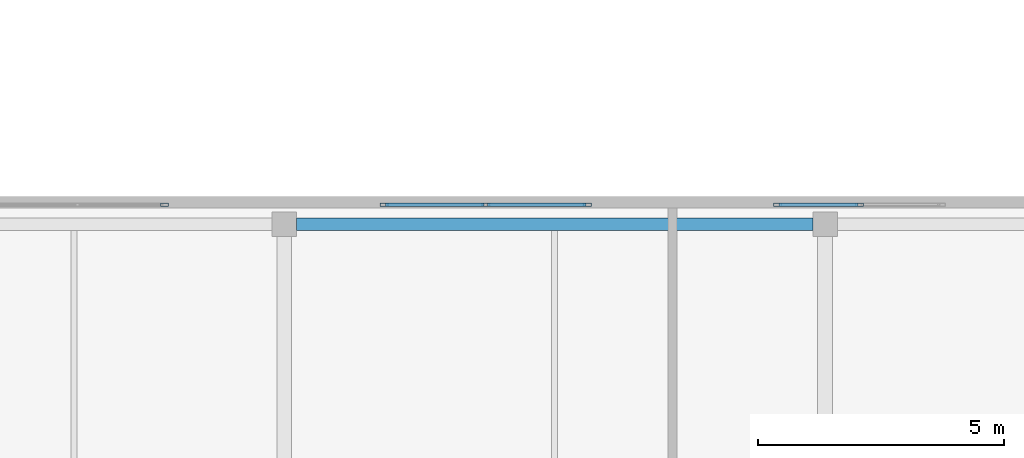
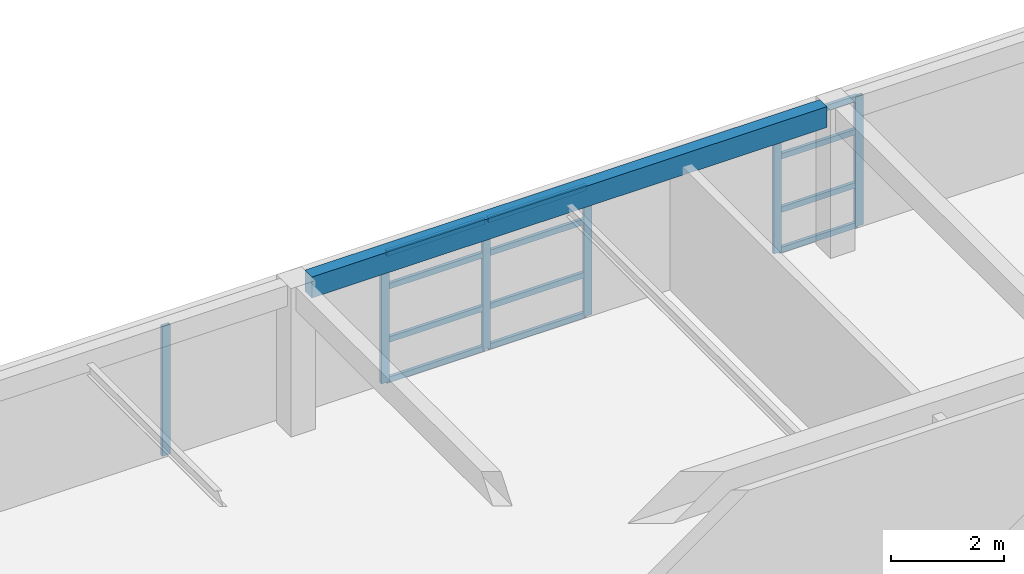
# One storey, part 25 of 89: 18 members, 1 beam, 3 elements without a shape of their own.
"""IFC4 building model written with IfcOpenShell, lengths in metres."""

import ifcopenshell
import ifcopenshell.guid

model = None  # the IFC model being written
_history = None  # IfcOwnerHistory: only IFC2X3 demands one
_inside = {}  # id of a spatial element -> (the spatial element, [elements in it])
_under = {}  # id of a project, library or spatial element -> (it, [spatial elements below it])
_declared = {}  # id of a project -> (the project, [libraries it declares])
_typed = {}  # id of a type object -> (the type object, [elements of that type])
_made_of = {}  # id of a material, layer set ... -> (it, [elements and type objects made of it])


def new_model(schema):
    """Start an empty IFC model of exactly this schema.

    Asked for "IFC4X3", IfcOpenShell would pick the latest addendum, in which some entities
    have other attributes; the version numbers below select the first issue.
    IFC2X3 requires an IfcOwnerHistory on every rooted entity: one is made here for all.
    """
    global model, _history
    if schema == "IFC4X3":
        model = ifcopenshell.file(schema_version=(4, 3, 0, 0))
    else:
        model = ifcopenshell.file(schema=schema)
    _inside.clear()
    _under.clear()
    _declared.clear()
    _typed.clear()
    _made_of.clear()
    _history = None
    if model.schema == "IFC2X3":
        org = make("IfcOrganization", Name="unknown")
        user = make(
            "IfcPersonAndOrganization",
            ThePerson=make("IfcPerson", FamilyName="unknown"),
            TheOrganization=org,
        )
        app = make(
            "IfcApplication",
            ApplicationDeveloper=org,
            Version="unknown",
            ApplicationFullName="unknown",
            ApplicationIdentifier="unknown",
        )
        _history = make(
            "IfcOwnerHistory",
            OwningUser=user,
            OwningApplication=app,
            ChangeAction="ADDED",
            CreationDate=0,
        )
    return model


def make(cls, **values):
    """One entity of the class cls with the attributes given. An attribute that is None is left unset."""
    return model.create_entity(
        cls, **{name: value for name, value in values.items() if value is not None}
    )


def rooted(cls, **values):
    """An entity with a GlobalId (a new one), such as an element, a storey or a relation."""
    return make(cls, GlobalId=ifcopenshell.guid.new(), OwnerHistory=_history, **values)


def si_unit(unit_type, name, prefix=None):
    """IfcSIUnit, for example si_unit("LENGTHUNIT", "METRE", prefix="MILLI")."""
    return make("IfcSIUnit", UnitType=unit_type, Prefix=prefix, Name=name)


def assignment(units):
    """IfcUnitAssignment: the units of a project."""
    return None if units is None else make("IfcUnitAssignment", Units=units)


def point(xyz):
    """IfcCartesianPoint."""
    return None if xyz is None else make("IfcCartesianPoint", Coordinates=xyz)


def direction(xyz):
    """IfcDirection."""
    return None if xyz is None else make("IfcDirection", DirectionRatios=xyz)


def frame(location, z_axis=None, x_axis=None):
    """IfcAxis2Placement3D, a coordinate frame: its origin and axes. An axis left out is left unset."""
    return make(
        "IfcAxis2Placement3D",
        Location=point(location),
        Axis=direction(z_axis),
        RefDirection=direction(x_axis),
    )


def frame_2d(location, x_axis=None):
    """IfcAxis2Placement2D, a coordinate frame in the plane: its origin and x axis."""
    return make(
        "IfcAxis2Placement2D", Location=point(location), RefDirection=direction(x_axis)
    )


def origin():
    """The frame at (0, 0, 0) with its axes left unset."""
    return frame((0.0, 0.0, 0.0))


def origin_2d():
    """The frame at (0, 0) in the plane with its x axis left unset."""
    return frame_2d((0.0, 0.0))


def place(relative_to, where):
    """IfcLocalPlacement: puts the frame where relative to a parent placement (None: the world)."""
    return make(
        "IfcLocalPlacement", PlacementRelTo=relative_to, RelativePlacement=where
    )


def context(
    kind, dimensions, precision=None, world=None, true_north=None, identifier=None
):
    """IfcGeometricRepresentationContext, for example the 3D "Model" context."""
    return make(
        "IfcGeometricRepresentationContext",
        ContextIdentifier=identifier,
        ContextType=kind,
        CoordinateSpaceDimension=dimensions,
        Precision=precision,
        WorldCoordinateSystem=world,
        TrueNorth=true_north,
    )


def subcontext(parent, identifier, kind, view, scale=None):
    """IfcGeometricRepresentationSubContext, for example "Body" below "Model"."""
    return make(
        "IfcGeometricRepresentationSubContext",
        ContextIdentifier=identifier,
        ContextType=kind,
        ParentContext=parent,
        TargetScale=scale,
        TargetView=view,
    )


def project(units=None, contexts=None):
    """IfcProject with its units and contexts."""
    return rooted(
        "IfcProject",
        Name="project",
        RepresentationContexts=contexts,
        UnitsInContext=assignment(units),
    )


def spatial(cls, under=None, at=None, **own):
    """A site, building, storey or space (cls), placed at a placement, below another one or the project."""
    s = rooted(cls, ObjectPlacement=at, **own)
    if under is not None:
        _under.setdefault(under.id(), (under, []))[1].append(s)
    return s


def profile(cls, at=None, kind="AREA", **sizes):
    """A parametric profile (cls). Its sizes go by their IFC names, for example OverallWidth=200.0."""
    return make(cls, ProfileType=kind, Position=at, **sizes)


def rectangle(**sizes):
    """IfcRectangleProfileDef."""
    return profile("IfcRectangleProfileDef", **sizes)


def hollow_rectangle(**sizes):
    """IfcRectangleHollowProfileDef."""
    return profile("IfcRectangleHollowProfileDef", **sizes)


def extrude(swept, where, along, depth):
    """IfcExtrudedAreaSolid: the profile swept, set in the frame where, extruded along a direction by depth."""
    return make(
        "IfcExtrudedAreaSolid",
        SweptArea=swept,
        Position=where,
        ExtrudedDirection=direction(along),
        Depth=depth,
    )


def shape(context_of_items, identifier, shape_type, items):
    """IfcShapeRepresentation: the items that make up one representation, for example the "Body"."""
    return make(
        "IfcShapeRepresentation",
        ContextOfItems=context_of_items,
        RepresentationIdentifier=identifier,
        RepresentationType=shape_type,
        Items=items,
    )


def material(Name=None, Category=None):
    """IfcMaterial."""
    return make("IfcMaterial", Name=Name, Category=Category)


def layer(
    of_material, thickness, ventilated=None, Name=None, Category=None, Priority=None
):
    """IfcMaterialLayer: one layer of a wall or slab, of a material (None: an air gap)."""
    return make(
        "IfcMaterialLayer",
        Material=of_material,
        LayerThickness=thickness,
        IsVentilated=ventilated,
        Name=Name,
        Category=Category,
        Priority=Priority,
    )


def layer_set(layers, Name=None):
    """IfcMaterialLayerSet."""
    return make("IfcMaterialLayerSet", MaterialLayers=layers, LayerSetName=Name)


def material_profile(
    of_material, cross_section, Name=None, Category=None, Priority=None
):
    """IfcMaterialProfile: a cross section and its material."""
    return make(
        "IfcMaterialProfile",
        Name=Name,
        Material=of_material,
        Profile=cross_section,
        Priority=Priority,
        Category=Category,
    )


def profile_set(profiles, Name=None, composite=None):
    """IfcMaterialProfileSet."""
    return make(
        "IfcMaterialProfileSet",
        Name=Name,
        MaterialProfiles=profiles,
        CompositeProfile=composite,
    )


def made_of(thing, what):
    """Note that an element or type object is made of a material, layer set ...; save() writes the relation."""
    if what is not None:
        _made_of.setdefault(what.id(), (what, []))[1].append(thing)
    return thing


def type_object(cls, material=None, **own):
    """A type object (cls), such as IfcWallType, which elements share."""
    return made_of(rooted(cls, **own), material)


def element(
    cls,
    number,
    at=None,
    inside=None,
    cuts=None,
    type_object=None,
    material=None,
    context=None,
    identifier="Body",
    shape_type=None,
    held_by="IfcProductDefinitionShape",
    body=None,
    shapes=None,
    **own,
):
    """One element of the class cls, such as IfcWall. Its Tag is "e" and its number.

    at: its placement. inside: the storey or other place that contains it. cuts: it is an
    opening in that element (IfcRelVoidsElement). A single representation is given by context,
    identifier, shape_type and body (its items); several are given by shapes. held_by: the class
    of the entity that holds the representations. save() writes the other relations.
    """
    e = rooted(cls, Tag="e%d" % number, ObjectPlacement=at, **own)
    if body is not None:
        shapes = [shape(context, identifier, shape_type, body)]
    if shapes is not None:
        e.Representation = make(held_by, Representations=shapes)
    if inside is not None:
        _inside.setdefault(inside.id(), (inside, []))[1].append(e)
    if cuts is not None:
        rooted(
            "IfcRelVoidsElement", RelatingBuildingElement=cuts, RelatedOpeningElement=e
        )
    if type_object is not None:
        _typed.setdefault(type_object.id(), (type_object, []))[1].append(e)
    return made_of(e, material)


def aggregate(whole, parts):
    """IfcRelAggregates: a whole, such as a stair, and the parts it consists of."""
    return rooted("IfcRelAggregates", RelatingObject=whole, RelatedObjects=parts)


def save(model, path):
    """Write the relations noted so far, then the file.

    IfcRelAggregates (storeys below a building ...), IfcRelContainedInSpatialStructure (elements
    in a storey), IfcRelDefinesByType, IfcRelAssociatesMaterial and IfcRelDeclares: one each for
    every whole, place, type object, material and project.
    """
    for whole, parts in _under.values():
        aggregate(whole, parts)
    for where, things in _inside.values():
        rooted(
            "IfcRelContainedInSpatialStructure",
            RelatedElements=things,
            RelatingStructure=where,
        )
    for kind, things in _typed.values():
        rooted("IfcRelDefinesByType", RelatedObjects=things, RelatingType=kind)
    for what, things in _made_of.values():
        rooted("IfcRelAssociatesMaterial", RelatedObjects=things, RelatingMaterial=what)
    for by, libraries in _declared.values():
        rooted("IfcRelDeclares", RelatingContext=by, RelatedDefinitions=libraries)
    model.write(path)


model = new_model("IFC4")

# Units and contexts
model_context = context("Model", 3, precision=1e-05, world=origin(), true_north=direction((0.0, 1.0)))
body_context = subcontext(model_context, "Body", "Model", "MODEL_VIEW")
ifc_project = project(units=[si_unit("LENGTHUNIT", "METRE"), si_unit("AREAUNIT", "SQUARE_METRE"), si_unit("VOLUMEUNIT", "CUBIC_METRE"), si_unit("PLANEANGLEUNIT", "RADIAN"), si_unit("MASSUNIT", "GRAM", prefix="KILO")], contexts=[model_context])

# Site, building, storey
site_placement = place(None, origin())
site = spatial("IfcSite", under=ifc_project, at=site_placement, CompositionType="ELEMENT")
building_placement = place(site_placement, origin())
building = spatial("IfcBuilding", under=site, at=building_placement, Name="Keldmere Railside Commons", CompositionType="ELEMENT")
storey_placement = place(building_placement, frame((0.0, 0.0, 7.360107421875)))
storey = spatial("IfcBuildingStorey", under=building, at=storey_placement, Name="L02", CompositionType="ELEMENT", Elevation=7.360107421875)

# Beam
ifc_material_1 = material(Name="Architectural Precast Concrete H-35 (C35/45)", Category="concrete")
ifc_material_profile_1 = material_profile(ifc_material_1, rectangle(XDim=0.25, YDim=0.449951171875, at=origin_2d()), Name="RC-250x450")
ifc_profile_set_1 = profile_set([ifc_material_profile_1], Name="Architectural Precast Concrete H-35 (C35/45)")
beam_type = type_object("IfcBeamType", Name="Perimeter Precast Spandrel Beam 250x450", PredefinedType="SPANDREL", material=ifc_profile_set_1)
beam_placement = place(storey_placement, frame((137.25, 39.550048828125, 2.974853515625), z_axis=(1.0, 0.0, 0.0), x_axis=(0.0, 1.0, 0.0)))
element("IfcBeam", 1, at=beam_placement, inside=storey, type_object=beam_type, Name="SPB-1 BM-L02-1064", PredefinedType="SPANDREL", context=body_context, shape_type="SweptSolid", body=[
    extrude(rectangle(XDim=0.25, YDim=0.449951171875, at=origin_2d()), origin(), (0.0, 0.0, 1.0), 10.5),
])

# Curtain wall, member
ifc_material_2 = material(Name="Thermally Broken Aluminium", Category="aluminium")
ifc_layer_1 = layer(ifc_material_2, 0.159912109375, Name="Market Arcade Upper Gallery CW 3600x2800")
ifc_layer_set_1 = layer_set([ifc_layer_1], Name="Thermally Broken Aluminium")
curtain_wall_type_1 = type_object("IfcCurtainWallType", Name="Market Arcade Upper Gallery CW 3600x2800", PredefinedType="NOTDEFINED", material=ifc_layer_set_1)
curtain_wall_1_placement = place(storey_placement, origin())
curtain_wall_1 = element("IfcCurtainWall", 2, at=curtain_wall_1_placement, inside=storey, type_object=curtain_wall_type_1, Name="CW-03 CW-L02-224", PredefinedType="NOTDEFINED")
ifc_material_profile_2 = material_profile(ifc_material_2, hollow_rectangle(XDim=0.06494140625, YDim=0.159912109375, WallThickness=0.00390625, at=origin_2d()), Name="ALU-MULL-65x160")
ifc_profile_set_2 = profile_set([ifc_material_profile_2], Name="Thermally Broken Aluminium")
member_type_1 = type_object("IfcMemberType", Name="Unitised Curtain Wall Mullion 65x160", PredefinedType="MULLION", material=ifc_profile_set_2)
member_1_placement = place(storey_placement, frame((134.5673828125, 39.949951171875, 0.0), z_axis=(0.0, 0.0, 1.0), x_axis=(0.0, 1.0, 0.0)))
member_1 = element("IfcMember", 3, at=member_1_placement, type_object=member_type_1, Name="CW-03 mullion 3", PredefinedType="MULLION", context=body_context, shape_type="SweptSolid", body=[
    extrude(hollow_rectangle(XDim=0.06494140625, YDim=0.159912109375, WallThickness=0.00390625, at=origin_2d()), origin(), (0.0, 0.0, 1.0), 2.7998046875),
])
aggregate(curtain_wall_1, [member_1])

# Curtain wall, members
ifc_layer_2 = layer(ifc_material_2, 0.159912109375, Name="Market Arcade Upper Gallery CW 4200x2800")
ifc_layer_set_2 = layer_set([ifc_layer_2], Name="Thermally Broken Aluminium")
curtain_wall_type_2 = type_object("IfcCurtainWallType", Name="Market Arcade Upper Gallery CW 4200x2800", PredefinedType="NOTDEFINED", material=ifc_layer_set_2)
curtain_wall_2_placement = place(storey_placement, origin())
curtain_wall_2 = element("IfcCurtainWall", 4, at=curtain_wall_2_placement, inside=storey, type_object=curtain_wall_type_2, Name="CW-04 CW-L02-225", PredefinedType="NOTDEFINED")
member_2_placement = place(storey_placement, frame((139.032470703125, 39.949951171875, 0.0), z_axis=(0.0, 0.0, 1.0), x_axis=(0.0, 1.0, 0.0)))
member_2 = element("IfcMember", 5, at=member_2_placement, type_object=member_type_1, Name="CW-04 mullion 1", PredefinedType="MULLION", context=body_context, shape_type="SweptSolid", body=[
    extrude(hollow_rectangle(XDim=0.06494140625, YDim=0.159912109375, WallThickness=0.00390625, at=origin_2d()), origin(), (0.0, 0.0, 1.0), 2.7998046875),
])
member_3_placement = place(storey_placement, frame((141.10009765625, 39.949951171875, 0.0), z_axis=(0.0, 0.0, 1.0), x_axis=(0.0, 1.0, 0.0)))
member_3 = element("IfcMember", 6, at=member_3_placement, type_object=member_type_1, Name="CW-04 mullion 2", PredefinedType="MULLION", context=body_context, shape_type="SweptSolid", body=[
    extrude(hollow_rectangle(XDim=0.06494140625, YDim=0.159912109375, WallThickness=0.00390625, at=origin_2d()), origin(), (0.0, 0.0, 1.0), 2.7998046875),
])
member_4_placement = place(storey_placement, frame((143.16748046875, 39.949951171875, 0.0), z_axis=(0.0, 0.0, 1.0), x_axis=(0.0, 1.0, 0.0)))
member_4 = element("IfcMember", 7, at=member_4_placement, type_object=member_type_1, Name="CW-04 mullion 3", PredefinedType="MULLION", context=body_context, shape_type="SweptSolid", body=[
    extrude(hollow_rectangle(XDim=0.06494140625, YDim=0.159912109375, WallThickness=0.00390625, at=origin_2d()), origin(), (0.0, 0.0, 1.0), 2.7998046875),
])

ifc_layer_3 = layer(ifc_material_2, 0.159912109375, Name="Sky-Terrace Lounge CW 3400x2850")
ifc_layer_set_3 = layer_set([ifc_layer_3], Name="Thermally Broken Aluminium")
curtain_wall_type_3 = type_object("IfcCurtainWallType", Name="Sky-Terrace Lounge CW 3400x2850", PredefinedType="NOTDEFINED", material=ifc_layer_set_3)
curtain_wall_3_placement = place(storey_placement, origin())
curtain_wall_3 = element("IfcCurtainWall", 8, at=curtain_wall_3_placement, inside=storey, type_object=curtain_wall_type_3, Name="CW-14 CW-L02-226", PredefinedType="NOTDEFINED")
member_5_placement = place(storey_placement, frame((147.032470703125, 39.949951171875, 0.0), z_axis=(0.0, 0.0, 1.0), x_axis=(0.0, 1.0, 0.0)))
member_5 = element("IfcMember", 9, at=member_5_placement, type_object=member_type_1, Name="CW-14 mullion 1", PredefinedType="MULLION", context=body_context, shape_type="SweptSolid", body=[
    extrude(hollow_rectangle(XDim=0.06494140625, YDim=0.159912109375, WallThickness=0.00390625, at=origin_2d()), origin(), (0.0, 0.0, 1.0), 2.7998046875),
])
member_6_placement = place(storey_placement, frame((148.699951171875, 39.949951171875, 0.0), z_axis=(0.0, 0.0, 1.0), x_axis=(0.0, 1.0, 0.0)))
member_6 = element("IfcMember", 10, at=member_6_placement, type_object=member_type_1, Name="CW-14 mullion 2", PredefinedType="MULLION", context=body_context, shape_type="SweptSolid", body=[
    extrude(hollow_rectangle(XDim=0.06494140625, YDim=0.159912109375, WallThickness=0.00390625, at=origin_2d()), origin(), (0.0, 0.0, 1.0), 2.7998046875),
])

# Member
ifc_material_profile_3 = material_profile(ifc_material_2, hollow_rectangle(XDim=0.06494140625, YDim=0.1201171875, WallThickness=0.00390625, at=origin_2d()), Name="ALU-TRAN-65x120")
ifc_profile_set_3 = profile_set([ifc_material_profile_3], Name="Thermally Broken Aluminium")
member_type_2 = type_object("IfcMemberType", Name="Unitised Curtain Wall Transom 65x120", PredefinedType="USERDEFINED", material=ifc_profile_set_3)
member_7_placement = place(storey_placement, frame((139.06494140625, 39.949951171875, 0.032470703125), z_axis=(1.0, 0.0, 0.0), x_axis=(0.0, 1.0, 0.0)))
member_7 = element("IfcMember", 11, at=member_7_placement, type_object=member_type_2, Name="CW-04 transom 1.1", ObjectType="TRANSOM", PredefinedType="USERDEFINED", context=body_context, shape_type="SweptSolid", body=[
    extrude(hollow_rectangle(XDim=0.06494140625, YDim=0.1201171875, WallThickness=0.00390625, at=origin_2d()), origin(), (0.0, 0.0, 1.0), 2.00244140625),
])

member_8_placement = place(storey_placement, frame((139.06494140625, 39.949951171875, 0.89990234375), z_axis=(1.0, 0.0, 0.0), x_axis=(0.0, 1.0, 0.0)))
member_8 = element("IfcMember", 12, at=member_8_placement, type_object=member_type_2, Name="CW-04 transom 1.2", ObjectType="TRANSOM", PredefinedType="USERDEFINED", context=body_context, shape_type="SweptSolid", body=[
    extrude(hollow_rectangle(XDim=0.06494140625, YDim=0.1201171875, WallThickness=0.00390625, at=origin_2d()), origin(), (0.0, 0.0, 1.0), 2.00244140625),
])

member_9_placement = place(storey_placement, frame((139.06494140625, 39.949951171875, 2.0498046875), z_axis=(1.0, 0.0, 0.0), x_axis=(0.0, 1.0, 0.0)))
member_9 = element("IfcMember", 13, at=member_9_placement, type_object=member_type_2, Name="CW-04 transom 1.3", ObjectType="TRANSOM", PredefinedType="USERDEFINED", context=body_context, shape_type="SweptSolid", body=[
    extrude(hollow_rectangle(XDim=0.06494140625, YDim=0.1201171875, WallThickness=0.00390625, at=origin_2d()), origin(), (0.0, 0.0, 1.0), 2.00244140625),
])

member_10_placement = place(storey_placement, frame((139.06494140625, 39.949951171875, 2.767333984375), z_axis=(1.0, 0.0, 0.0), x_axis=(0.0, 1.0, 0.0)))
member_10 = element("IfcMember", 14, at=member_10_placement, type_object=member_type_2, Name="CW-04 transom 1.4", ObjectType="TRANSOM", PredefinedType="USERDEFINED", context=body_context, shape_type="SweptSolid", body=[
    extrude(hollow_rectangle(XDim=0.06494140625, YDim=0.1201171875, WallThickness=0.00390625, at=origin_2d()), origin(), (0.0, 0.0, 1.0), 2.00244140625),
])

member_11_placement = place(storey_placement, frame((141.132568359375, 39.949951171875, 0.032470703125), z_axis=(1.0, 0.0, 0.0), x_axis=(0.0, 1.0, 0.0)))
member_11 = element("IfcMember", 15, at=member_11_placement, type_object=member_type_2, Name="CW-04 transom 2.1", ObjectType="TRANSOM", PredefinedType="USERDEFINED", context=body_context, shape_type="SweptSolid", body=[
    extrude(hollow_rectangle(XDim=0.06494140625, YDim=0.1201171875, WallThickness=0.00390625, at=origin_2d()), origin(), (0.0, 0.0, 1.0), 2.00244140625),
])

member_12_placement = place(storey_placement, frame((141.132568359375, 39.949951171875, 0.89990234375), z_axis=(1.0, 0.0, 0.0), x_axis=(0.0, 1.0, 0.0)))
member_12 = element("IfcMember", 16, at=member_12_placement, type_object=member_type_2, Name="CW-04 transom 2.2", ObjectType="TRANSOM", PredefinedType="USERDEFINED", context=body_context, shape_type="SweptSolid", body=[
    extrude(hollow_rectangle(XDim=0.06494140625, YDim=0.1201171875, WallThickness=0.00390625, at=origin_2d()), origin(), (0.0, 0.0, 1.0), 2.00244140625),
])

member_13_placement = place(storey_placement, frame((141.132568359375, 39.949951171875, 2.0498046875), z_axis=(1.0, 0.0, 0.0), x_axis=(0.0, 1.0, 0.0)))
member_13 = element("IfcMember", 17, at=member_13_placement, type_object=member_type_2, Name="CW-04 transom 2.3", ObjectType="TRANSOM", PredefinedType="USERDEFINED", context=body_context, shape_type="SweptSolid", body=[
    extrude(hollow_rectangle(XDim=0.06494140625, YDim=0.1201171875, WallThickness=0.00390625, at=origin_2d()), origin(), (0.0, 0.0, 1.0), 2.00244140625),
])

member_14_placement = place(storey_placement, frame((141.132568359375, 39.949951171875, 2.767333984375), z_axis=(1.0, 0.0, 0.0), x_axis=(0.0, 1.0, 0.0)))
member_14 = element("IfcMember", 18, at=member_14_placement, type_object=member_type_2, Name="CW-04 transom 2.4", ObjectType="TRANSOM", PredefinedType="USERDEFINED", context=body_context, shape_type="SweptSolid", body=[
    extrude(hollow_rectangle(XDim=0.06494140625, YDim=0.1201171875, WallThickness=0.00390625, at=origin_2d()), origin(), (0.0, 0.0, 1.0), 2.00244140625),
])

aggregate(curtain_wall_2, [member_2, member_3, member_4, member_7, member_8, member_9, member_10, member_11, member_12, member_13, member_14])

member_15_placement = place(storey_placement, frame((147.06494140625, 39.949951171875, 0.032470703125), z_axis=(1.0, 0.0, 0.0), x_axis=(0.0, 1.0, 0.0)))
member_15 = element("IfcMember", 19, at=member_15_placement, type_object=member_type_2, Name="CW-14 transom 1.1", ObjectType="TRANSOM", PredefinedType="USERDEFINED", context=body_context, shape_type="SweptSolid", body=[
    extrude(hollow_rectangle(XDim=0.06494140625, YDim=0.1201171875, WallThickness=0.00390625, at=origin_2d()), origin(), (0.0, 0.0, 1.0), 1.6025390625),
])

member_16_placement = place(storey_placement, frame((147.06494140625, 39.949951171875, 0.89990234375), z_axis=(1.0, 0.0, 0.0), x_axis=(0.0, 1.0, 0.0)))
member_16 = element("IfcMember", 20, at=member_16_placement, type_object=member_type_2, Name="CW-14 transom 1.2", ObjectType="TRANSOM", PredefinedType="USERDEFINED", context=body_context, shape_type="SweptSolid", body=[
    extrude(hollow_rectangle(XDim=0.06494140625, YDim=0.1201171875, WallThickness=0.00390625, at=origin_2d()), origin(), (0.0, 0.0, 1.0), 1.6025390625),
])

member_17_placement = place(storey_placement, frame((147.06494140625, 39.949951171875, 2.0498046875), z_axis=(1.0, 0.0, 0.0), x_axis=(0.0, 1.0, 0.0)))
member_17 = element("IfcMember", 21, at=member_17_placement, type_object=member_type_2, Name="CW-14 transom 1.3", ObjectType="TRANSOM", PredefinedType="USERDEFINED", context=body_context, shape_type="SweptSolid", body=[
    extrude(hollow_rectangle(XDim=0.06494140625, YDim=0.1201171875, WallThickness=0.00390625, at=origin_2d()), origin(), (0.0, 0.0, 1.0), 1.6025390625),
])

member_18_placement = place(storey_placement, frame((147.06494140625, 39.949951171875, 2.767333984375), z_axis=(1.0, 0.0, 0.0), x_axis=(0.0, 1.0, 0.0)))
member_18 = element("IfcMember", 22, at=member_18_placement, type_object=member_type_2, Name="CW-14 transom 1.4", ObjectType="TRANSOM", PredefinedType="USERDEFINED", context=body_context, shape_type="SweptSolid", body=[
    extrude(hollow_rectangle(XDim=0.06494140625, YDim=0.1201171875, WallThickness=0.00390625, at=origin_2d()), origin(), (0.0, 0.0, 1.0), 1.6025390625),
])

aggregate(curtain_wall_3, [member_5, member_6, member_15, member_16, member_17, member_18])

save(model, "model.ifc")
